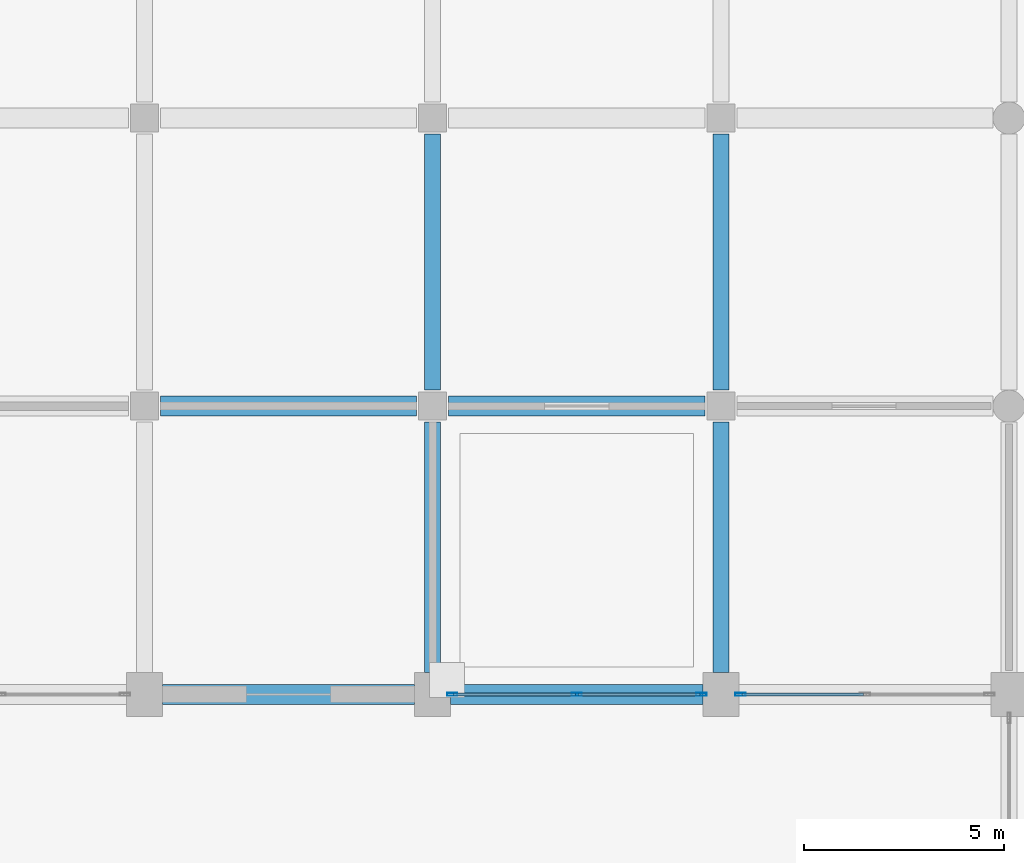
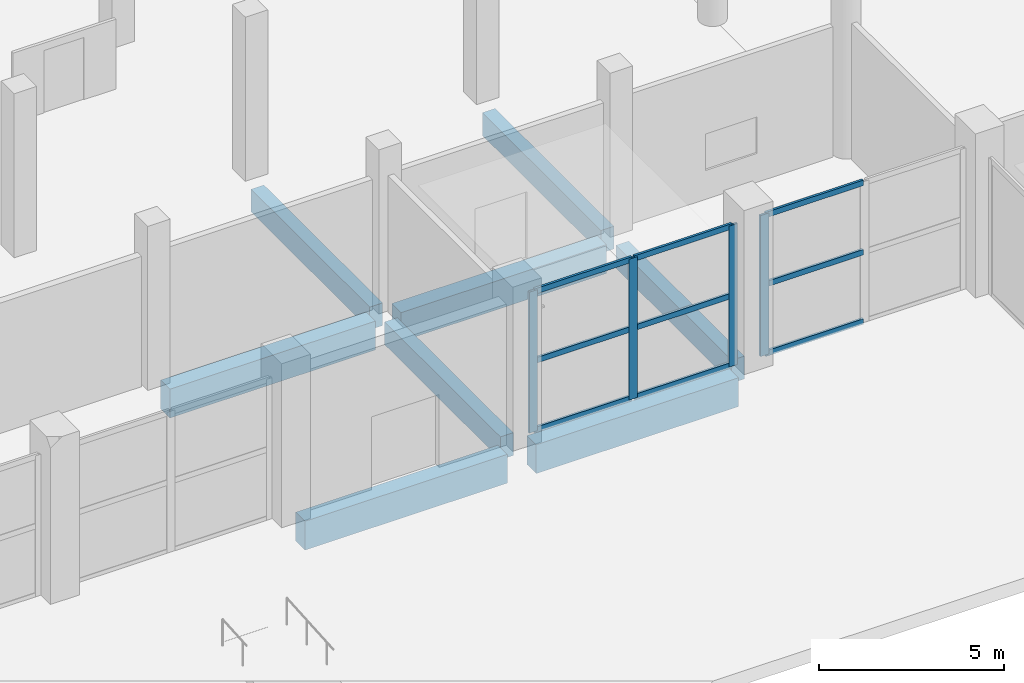
# One storey, part 11 of 70: 13 members, 8 beams, 2 elements without a shape of their own.
"""IFC4 building model written with IfcOpenShell, lengths in metres."""

from ifc_helpers import new_model, si_unit, direction, frame, origin, origin_2d, place, context, subcontext, project, spatial, rectangle, hollow_rectangle, extrude, material, material_profile, profile_set, type_object, element, aggregate, save


model = new_model("IFC4")

# Units and contexts
model_context = context("Model", 3, precision=1e-05, world=origin(), true_north=direction((0.0, 1.0)))
body_context = subcontext(model_context, "Body", "Model", "MODEL_VIEW")
ifc_project = project(units=[si_unit("LENGTHUNIT", "METRE"), si_unit("AREAUNIT", "SQUARE_METRE"), si_unit("VOLUMEUNIT", "CUBIC_METRE"), si_unit("PLANEANGLEUNIT", "RADIAN"), si_unit("MASSUNIT", "GRAM", prefix="KILO")], contexts=[model_context])

# Site, building, storey
site_placement = place(None, origin())
site = spatial("IfcSite", under=ifc_project, at=site_placement, CompositionType="ELEMENT")
building_placement = place(site_placement, origin())
building = spatial("IfcBuilding", under=site, at=building_placement, Name="Vesperath Aquatics Centre", CompositionType="ELEMENT")
storey_placement = place(building_placement, origin())
storey = spatial("IfcBuildingStorey", under=building, at=storey_placement, Name="L00", CompositionType="ELEMENT", Elevation=0.0)

# Beams
ifc_material_1 = material(Name="Concrete C40", Category="concrete")
ifc_material_profile_1 = material_profile(ifc_material_1, rectangle(XDim=0.5, YDim=0.949951171875, at=origin_2d()), Name="RC 500x950")
ifc_profile_set_1 = profile_set([ifc_material_profile_1], Name="Concrete C40")
beam_type_1 = type_object("IfcBeamType", Name="BM-G02", PredefinedType="BEAM", material=ifc_profile_set_1)
beam_1_placement = place(storey_placement, frame((79.64990234375, 14.39990234375, -0.7548828125), z_axis=(1.0, 0.0, 0.0), x_axis=(0.0, 1.0, 0.0)))
element("IfcBeam", 1, at=beam_1_placement, inside=storey, type_object=beam_type_1, Name="Floor Girder B02 L00 C 12-13", PredefinedType="BEAM", context=body_context, shape_type="SweptSolid", body=[
    extrude(rectangle(XDim=0.5, YDim=0.949951171875, at=origin_2d()), origin(), (0.0, 0.0, 1.0), 6.300048828125),
])
beam_2_placement = place(storey_placement, frame((79.60009765625, 21.60009765625, -0.7548828125), z_axis=(1.0, 0.0, 0.0), x_axis=(0.0, 1.0, 0.0)))
element("IfcBeam", 2, at=beam_2_placement, inside=storey, type_object=beam_type_1, Name="Floor Girder B02 L00 D 12-13", PredefinedType="BEAM", context=body_context, shape_type="SweptSolid", body=[
    extrude(rectangle(XDim=0.5, YDim=0.949951171875, at=origin_2d()), origin(), (0.0, 0.0, 1.0), 6.39990234375),
])
beam_3_placement = place(storey_placement, frame((86.85009765625, 14.39990234375, -0.7548828125), z_axis=(1.0, 0.0, 0.0), x_axis=(0.0, 1.0, 0.0)))
element("IfcBeam", 3, at=beam_3_placement, inside=storey, type_object=beam_type_1, Name="Floor Girder B02 L00 C 13-14", PredefinedType="BEAM", context=body_context, shape_type="SweptSolid", body=[
    extrude(rectangle(XDim=0.5, YDim=0.949951171875, at=origin_2d()), origin(), (0.0, 0.0, 1.0), 6.2998046875),
])
beam_4_placement = place(storey_placement, frame((86.800048828125, 21.60009765625, -0.7548828125), z_axis=(1.0, 0.0, 0.0), x_axis=(0.0, 1.0, 0.0)))
element("IfcBeam", 4, at=beam_4_placement, inside=storey, type_object=beam_type_1, Name="Floor Girder B02 L00 D 13-14", PredefinedType="BEAM", context=body_context, shape_type="SweptSolid", body=[
    extrude(rectangle(XDim=0.5, YDim=0.949951171875, at=origin_2d()), origin(), (0.0, 0.0, 1.0), 6.39990234375),
])
ifc_material_2 = material(Name="Concrete C35", Category="concrete")
ifc_material_profile_2 = material_profile(ifc_material_2, rectangle(XDim=0.39990234375, YDim=0.75, at=origin_2d()), Name="RC 400x750")
ifc_profile_set_2 = profile_set([ifc_material_profile_2], Name="Concrete C35")
beam_type_2 = type_object("IfcBeamType", Name="BM-G04", PredefinedType="BEAM", material=ifc_profile_set_2)
beam_5_placement = place(storey_placement, frame((86.39990234375, 14.949951171875, -0.655029296875), z_axis=(0.0, 1.0, 0.0), x_axis=(-1.0, 0.0, 0.0)))
element("IfcBeam", 5, at=beam_5_placement, inside=storey, type_object=beam_type_2, Name="Floor Girder B04 L00 13 C-D", PredefinedType="BEAM", context=body_context, shape_type="SweptSolid", body=[
    extrude(rectangle(XDim=0.39990234375, YDim=0.75, at=origin_2d()), origin(), (0.0, 0.0, 1.0), 6.25),
])
beam_6_placement = place(storey_placement, frame((86.39990234375, 22.0, -0.655029296875), z_axis=(0.0, 1.0, 0.0), x_axis=(-1.0, 0.0, 0.0)))
element("IfcBeam", 6, at=beam_6_placement, inside=storey, type_object=beam_type_2, Name="Floor Girder B04 L00 13 D-E", PredefinedType="BEAM", context=body_context, shape_type="SweptSolid", body=[
    extrude(rectangle(XDim=0.39990234375, YDim=0.75, at=origin_2d()), origin(), (0.0, 0.0, 1.0), 6.39990234375),
])
beam_7_placement = place(storey_placement, frame((93.60009765625, 14.949951171875, -0.655029296875), z_axis=(0.0, 1.0, 0.0), x_axis=(-1.0, 0.0, 0.0)))
element("IfcBeam", 7, at=beam_7_placement, inside=storey, type_object=beam_type_2, Name="Floor Girder B04 L00 14 C-D", PredefinedType="BEAM", context=body_context, shape_type="SweptSolid", body=[
    extrude(rectangle(XDim=0.39990234375, YDim=0.75, at=origin_2d()), origin(), (0.0, 0.0, 1.0), 6.25),
])
beam_8_placement = place(storey_placement, frame((93.60009765625, 22.0, -0.655029296875), z_axis=(0.0, 1.0, 0.0), x_axis=(-1.0, 0.0, 0.0)))
element("IfcBeam", 8, at=beam_8_placement, inside=storey, type_object=beam_type_2, Name="Floor Girder B04 L00 14 D-E", PredefinedType="BEAM", context=body_context, shape_type="SweptSolid", body=[
    extrude(rectangle(XDim=0.39990234375, YDim=0.75, at=origin_2d()), origin(), (0.0, 0.0, 1.0), 6.39990234375),
])

# Curtain wall, members
ifc_material_3 = material(Name="Thermally broken anodised bronze aluminium curtain wall", Category="aluminium")
curtain_wall_type = type_object("IfcCurtainWallType", Name="CW-01", PredefinedType="NOTDEFINED", material=ifc_material_3)
curtain_wall_1_placement = place(storey_placement, origin())
curtain_wall_1 = element("IfcCurtainWall", 9, at=curtain_wall_1_placement, inside=storey, type_object=curtain_wall_type, Name="Facade Curtain Wall CW01 L00_S_12_02", PredefinedType="NOTDEFINED")
ifc_material_4 = material(Name="Thermally broken anodised aluminium", Category="aluminium")
ifc_material_profile_3 = material_profile(ifc_material_4, hollow_rectangle(XDim=0.074951171875, YDim=0.260009765625, WallThickness=0.006103515625, at=origin_2d()), Name="CWM 75x260x6")
ifc_profile_set_3 = profile_set([ifc_material_profile_3], Name="Thermally broken anodised aluminium")
member_type_1 = type_object("IfcMemberType", Name="MB-CWM1", PredefinedType="MULLION", material=ifc_profile_set_3)
member_1_placement = place(storey_placement, frame((86.887451171875, 14.39990234375, 0.0), z_axis=(0.0, 0.0, 1.0), x_axis=(0.0, 1.0, 0.0)))
member_1 = element("IfcMember", 10, at=member_1_placement, type_object=member_type_1, Name="CW01 mullion 1", PredefinedType="MULLION", context=body_context, shape_type="SweptSolid", body=[
    extrude(hollow_rectangle(XDim=0.074951171875, YDim=0.260009765625, WallThickness=0.006103515625, at=origin_2d()), origin(), (0.0, 0.0, 1.0), 4.639892578125),
])
member_2_placement = place(storey_placement, frame((90.0, 14.39990234375, 0.0), z_axis=(0.0, 0.0, 1.0), x_axis=(0.0, 1.0, 0.0)))
member_2 = element("IfcMember", 11, at=member_2_placement, type_object=member_type_1, Name="CW01 mullion 2", PredefinedType="MULLION", context=body_context, shape_type="SweptSolid", body=[
    extrude(hollow_rectangle(XDim=0.074951171875, YDim=0.260009765625, WallThickness=0.006103515625, at=origin_2d()), origin(), (0.0, 0.0, 1.0), 4.639892578125),
])
member_3_placement = place(storey_placement, frame((93.112548828125, 14.39990234375, 0.0), z_axis=(0.0, 0.0, 1.0), x_axis=(0.0, 1.0, 0.0)))
member_3 = element("IfcMember", 12, at=member_3_placement, type_object=member_type_1, Name="CW01 mullion 3", PredefinedType="MULLION", context=body_context, shape_type="SweptSolid", body=[
    extrude(hollow_rectangle(XDim=0.074951171875, YDim=0.260009765625, WallThickness=0.006103515625, at=origin_2d()), origin(), (0.0, 0.0, 1.0), 4.639892578125),
])

# Curtain wall, member
curtain_wall_2_placement = place(storey_placement, origin())
curtain_wall_2 = element("IfcCurtainWall", 13, at=curtain_wall_2_placement, inside=storey, type_object=curtain_wall_type, Name="Facade Curtain Wall CW01 L00_S_13_02", PredefinedType="NOTDEFINED")
member_4_placement = place(storey_placement, frame((94.08740234375, 14.39990234375, 0.0), z_axis=(0.0, 0.0, 1.0), x_axis=(0.0, 1.0, 0.0)))
member_4 = element("IfcMember", 14, at=member_4_placement, type_object=member_type_1, Name="CW01 mullion 1", PredefinedType="MULLION", context=body_context, shape_type="SweptSolid", body=[
    extrude(hollow_rectangle(XDim=0.074951171875, YDim=0.260009765625, WallThickness=0.006103515625, at=origin_2d()), origin(), (0.0, 0.0, 1.0), 4.639892578125),
])

# Member
ifc_material_profile_4 = material_profile(ifc_material_4, hollow_rectangle(XDim=0.074951171875, YDim=0.179931640625, WallThickness=0.0048828125, at=origin_2d()), Name="CWT 75x180x5")
ifc_profile_set_4 = profile_set([ifc_material_profile_4], Name="Thermally broken anodised aluminium")
member_type_2 = type_object("IfcMemberType", Name="MB-CWT1", PredefinedType="USERDEFINED", material=ifc_profile_set_4)
member_5_placement = place(storey_placement, frame((86.925048828125, 14.39990234375, 0.03759765625), z_axis=(1.0, 0.0, 0.0), x_axis=(0.0, 1.0, 0.0)))
member_5 = element("IfcMember", 15, at=member_5_placement, type_object=member_type_2, Name="CW01 transom 1.1", ObjectType="TRANSOM", PredefinedType="USERDEFINED", context=body_context, shape_type="SweptSolid", body=[
    extrude(hollow_rectangle(XDim=0.074951171875, YDim=0.179931640625, WallThickness=0.0048828125, at=origin_2d()), origin(), (0.0, 0.0, 1.0), 3.037353515625),
])

member_6_placement = place(storey_placement, frame((86.925048828125, 14.39990234375, 2.320068359375), z_axis=(1.0, 0.0, 0.0), x_axis=(0.0, 1.0, 0.0)))
member_6 = element("IfcMember", 16, at=member_6_placement, type_object=member_type_2, Name="CW01 transom 1.2", ObjectType="TRANSOM", PredefinedType="USERDEFINED", context=body_context, shape_type="SweptSolid", body=[
    extrude(hollow_rectangle(XDim=0.074951171875, YDim=0.179931640625, WallThickness=0.0048828125, at=origin_2d()), origin(), (0.0, 0.0, 1.0), 3.037353515625),
])

member_7_placement = place(storey_placement, frame((86.925048828125, 14.39990234375, 4.6025390625), z_axis=(1.0, 0.0, 0.0), x_axis=(0.0, 1.0, 0.0)))
member_7 = element("IfcMember", 17, at=member_7_placement, type_object=member_type_2, Name="CW01 transom 1.3", ObjectType="TRANSOM", PredefinedType="USERDEFINED", context=body_context, shape_type="SweptSolid", body=[
    extrude(hollow_rectangle(XDim=0.074951171875, YDim=0.179931640625, WallThickness=0.0048828125, at=origin_2d()), origin(), (0.0, 0.0, 1.0), 3.037353515625),
])

member_8_placement = place(storey_placement, frame((90.03759765625, 14.39990234375, 0.03759765625), z_axis=(1.0, 0.0, 0.0), x_axis=(0.0, 1.0, 0.0)))
member_8 = element("IfcMember", 18, at=member_8_placement, type_object=member_type_2, Name="CW01 transom 2.1", ObjectType="TRANSOM", PredefinedType="USERDEFINED", context=body_context, shape_type="SweptSolid", body=[
    extrude(hollow_rectangle(XDim=0.074951171875, YDim=0.179931640625, WallThickness=0.0048828125, at=origin_2d()), origin(), (0.0, 0.0, 1.0), 3.037353515625),
])

member_9_placement = place(storey_placement, frame((90.03759765625, 14.39990234375, 2.320068359375), z_axis=(1.0, 0.0, 0.0), x_axis=(0.0, 1.0, 0.0)))
member_9 = element("IfcMember", 19, at=member_9_placement, type_object=member_type_2, Name="CW01 transom 2.2", ObjectType="TRANSOM", PredefinedType="USERDEFINED", context=body_context, shape_type="SweptSolid", body=[
    extrude(hollow_rectangle(XDim=0.074951171875, YDim=0.179931640625, WallThickness=0.0048828125, at=origin_2d()), origin(), (0.0, 0.0, 1.0), 3.037353515625),
])

member_10_placement = place(storey_placement, frame((90.03759765625, 14.39990234375, 4.6025390625), z_axis=(1.0, 0.0, 0.0), x_axis=(0.0, 1.0, 0.0)))
member_10 = element("IfcMember", 20, at=member_10_placement, type_object=member_type_2, Name="CW01 transom 2.3", ObjectType="TRANSOM", PredefinedType="USERDEFINED", context=body_context, shape_type="SweptSolid", body=[
    extrude(hollow_rectangle(XDim=0.074951171875, YDim=0.179931640625, WallThickness=0.0048828125, at=origin_2d()), origin(), (0.0, 0.0, 1.0), 3.037353515625),
])

aggregate(curtain_wall_1, [member_1, member_2, member_3, member_5, member_6, member_7, member_8, member_9, member_10])

member_11_placement = place(storey_placement, frame((94.125, 14.39990234375, 0.03759765625), z_axis=(1.0, 0.0, 0.0), x_axis=(0.0, 1.0, 0.0)))
member_11 = element("IfcMember", 21, at=member_11_placement, type_object=member_type_2, Name="CW01 transom 1.1", ObjectType="TRANSOM", PredefinedType="USERDEFINED", context=body_context, shape_type="SweptSolid", body=[
    extrude(hollow_rectangle(XDim=0.074951171875, YDim=0.179931640625, WallThickness=0.0048828125, at=origin_2d()), origin(), (0.0, 0.0, 1.0), 3.03759765625),
])

member_12_placement = place(storey_placement, frame((94.125, 14.39990234375, 2.320068359375), z_axis=(1.0, 0.0, 0.0), x_axis=(0.0, 1.0, 0.0)))
member_12 = element("IfcMember", 22, at=member_12_placement, type_object=member_type_2, Name="CW01 transom 1.2", ObjectType="TRANSOM", PredefinedType="USERDEFINED", context=body_context, shape_type="SweptSolid", body=[
    extrude(hollow_rectangle(XDim=0.074951171875, YDim=0.179931640625, WallThickness=0.0048828125, at=origin_2d()), origin(), (0.0, 0.0, 1.0), 3.03759765625),
])

member_13_placement = place(storey_placement, frame((94.125, 14.39990234375, 4.6025390625), z_axis=(1.0, 0.0, 0.0), x_axis=(0.0, 1.0, 0.0)))
member_13 = element("IfcMember", 23, at=member_13_placement, type_object=member_type_2, Name="CW01 transom 1.3", ObjectType="TRANSOM", PredefinedType="USERDEFINED", context=body_context, shape_type="SweptSolid", body=[
    extrude(hollow_rectangle(XDim=0.074951171875, YDim=0.179931640625, WallThickness=0.0048828125, at=origin_2d()), origin(), (0.0, 0.0, 1.0), 3.03759765625),
])

aggregate(curtain_wall_2, [member_4, member_11, member_12, member_13])

save(model, "model.ifc")
